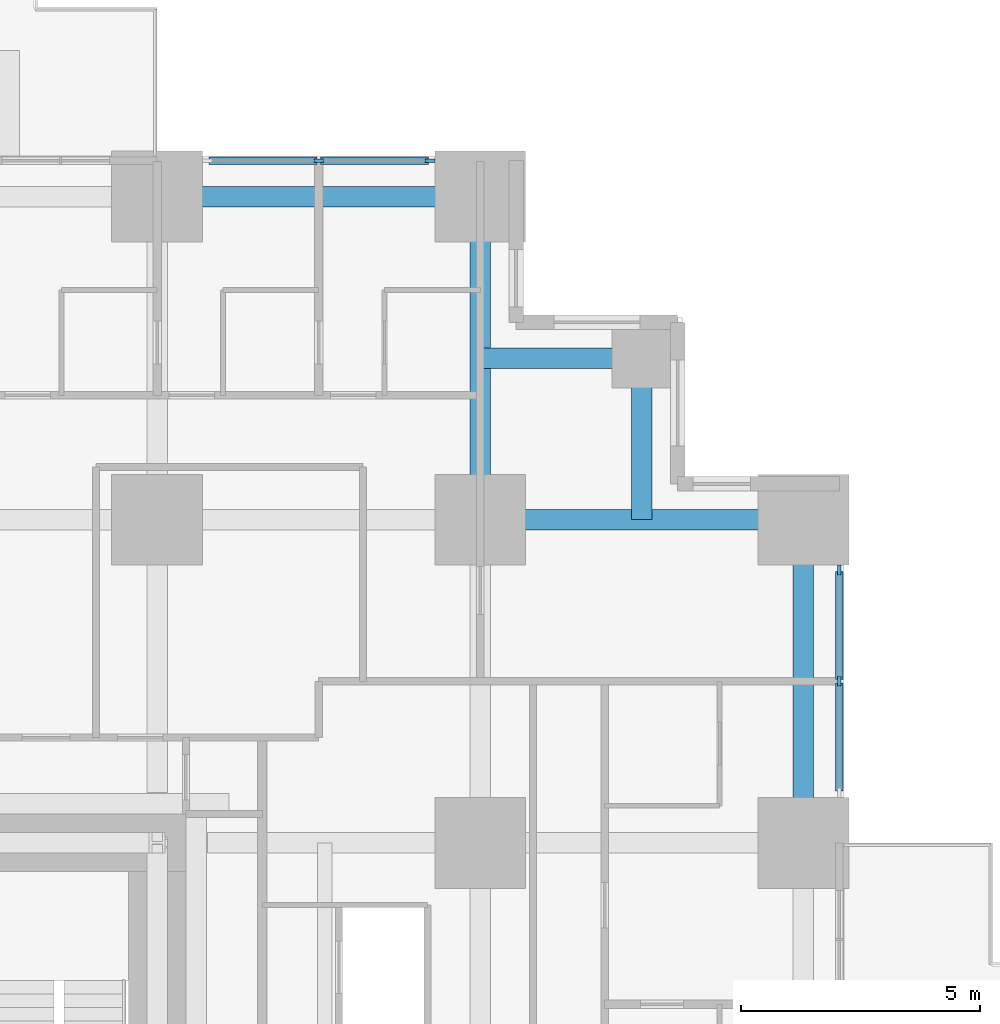
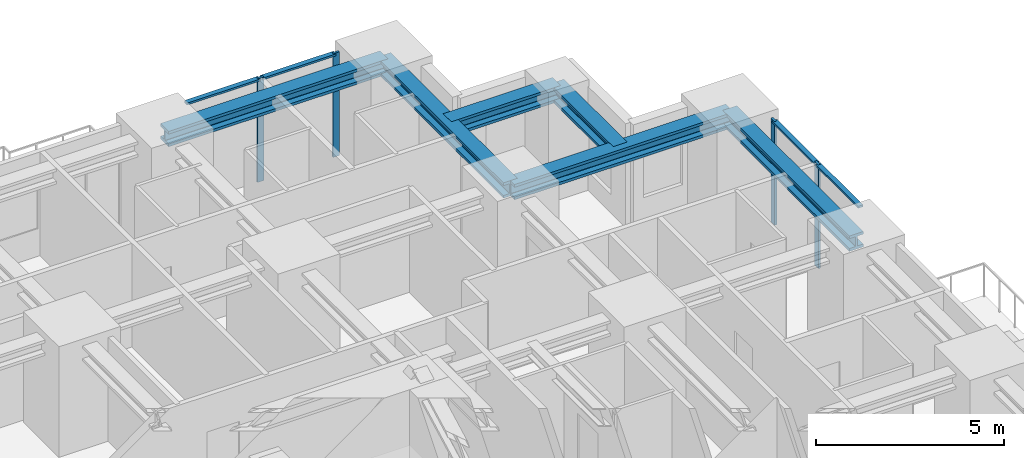
# One storey, part 6 of 14: 8 members, 6 beams, 2 elements without a shape of their own.
"""IFC4 building model written with IfcOpenShell, lengths in metres."""

import ifcopenshell
import ifcopenshell.guid

model = None  # the IFC model being written
_history = None  # IfcOwnerHistory: only IFC2X3 demands one
_inside = {}  # id of a spatial element -> (the spatial element, [elements in it])
_under = {}  # id of a project, library or spatial element -> (it, [spatial elements below it])
_declared = {}  # id of a project -> (the project, [libraries it declares])
_typed = {}  # id of a type object -> (the type object, [elements of that type])
_made_of = {}  # id of a material, layer set ... -> (it, [elements and type objects made of it])


def new_model(schema):
    """Start an empty IFC model of exactly this schema.

    Asked for "IFC4X3", IfcOpenShell would pick the latest addendum, in which some entities
    have other attributes; the version numbers below select the first issue.
    IFC2X3 requires an IfcOwnerHistory on every rooted entity: one is made here for all.
    """
    global model, _history
    if schema == "IFC4X3":
        model = ifcopenshell.file(schema_version=(4, 3, 0, 0))
    else:
        model = ifcopenshell.file(schema=schema)
    _inside.clear()
    _under.clear()
    _declared.clear()
    _typed.clear()
    _made_of.clear()
    _history = None
    if model.schema == "IFC2X3":
        org = make("IfcOrganization", Name="unknown")
        user = make(
            "IfcPersonAndOrganization",
            ThePerson=make("IfcPerson", FamilyName="unknown"),
            TheOrganization=org,
        )
        app = make(
            "IfcApplication",
            ApplicationDeveloper=org,
            Version="unknown",
            ApplicationFullName="unknown",
            ApplicationIdentifier="unknown",
        )
        _history = make(
            "IfcOwnerHistory",
            OwningUser=user,
            OwningApplication=app,
            ChangeAction="ADDED",
            CreationDate=0,
        )
    return model


def make(cls, **values):
    """One entity of the class cls with the attributes given. An attribute that is None is left unset."""
    return model.create_entity(
        cls, **{name: value for name, value in values.items() if value is not None}
    )


def rooted(cls, **values):
    """An entity with a GlobalId (a new one), such as an element, a storey or a relation."""
    return make(cls, GlobalId=ifcopenshell.guid.new(), OwnerHistory=_history, **values)


def si_unit(unit_type, name, prefix=None):
    """IfcSIUnit, for example si_unit("LENGTHUNIT", "METRE", prefix="MILLI")."""
    return make("IfcSIUnit", UnitType=unit_type, Prefix=prefix, Name=name)


def assignment(units):
    """IfcUnitAssignment: the units of a project."""
    return None if units is None else make("IfcUnitAssignment", Units=units)


def point(xyz):
    """IfcCartesianPoint."""
    return None if xyz is None else make("IfcCartesianPoint", Coordinates=xyz)


def direction(xyz):
    """IfcDirection."""
    return None if xyz is None else make("IfcDirection", DirectionRatios=xyz)


def frame(location, z_axis=None, x_axis=None):
    """IfcAxis2Placement3D, a coordinate frame: its origin and axes. An axis left out is left unset."""
    return make(
        "IfcAxis2Placement3D",
        Location=point(location),
        Axis=direction(z_axis),
        RefDirection=direction(x_axis),
    )


def frame_2d(location, x_axis=None):
    """IfcAxis2Placement2D, a coordinate frame in the plane: its origin and x axis."""
    return make(
        "IfcAxis2Placement2D", Location=point(location), RefDirection=direction(x_axis)
    )


def origin():
    """The frame at (0, 0, 0) with its axes left unset."""
    return frame((0.0, 0.0, 0.0))


def origin_2d():
    """The frame at (0, 0) in the plane with its x axis left unset."""
    return frame_2d((0.0, 0.0))


def place(relative_to, where):
    """IfcLocalPlacement: puts the frame where relative to a parent placement (None: the world)."""
    return make(
        "IfcLocalPlacement", PlacementRelTo=relative_to, RelativePlacement=where
    )


def context(
    kind, dimensions, precision=None, world=None, true_north=None, identifier=None
):
    """IfcGeometricRepresentationContext, for example the 3D "Model" context."""
    return make(
        "IfcGeometricRepresentationContext",
        ContextIdentifier=identifier,
        ContextType=kind,
        CoordinateSpaceDimension=dimensions,
        Precision=precision,
        WorldCoordinateSystem=world,
        TrueNorth=true_north,
    )


def subcontext(parent, identifier, kind, view, scale=None):
    """IfcGeometricRepresentationSubContext, for example "Body" below "Model"."""
    return make(
        "IfcGeometricRepresentationSubContext",
        ContextIdentifier=identifier,
        ContextType=kind,
        ParentContext=parent,
        TargetScale=scale,
        TargetView=view,
    )


def project(units=None, contexts=None):
    """IfcProject with its units and contexts."""
    return rooted(
        "IfcProject",
        Name="project",
        RepresentationContexts=contexts,
        UnitsInContext=assignment(units),
    )


def spatial(cls, under=None, at=None, **own):
    """A site, building, storey or space (cls), placed at a placement, below another one or the project."""
    s = rooted(cls, ObjectPlacement=at, **own)
    if under is not None:
        _under.setdefault(under.id(), (under, []))[1].append(s)
    return s


def profile(cls, at=None, kind="AREA", **sizes):
    """A parametric profile (cls). Its sizes go by their IFC names, for example OverallWidth=200.0."""
    return make(cls, ProfileType=kind, Position=at, **sizes)


def rectangle(**sizes):
    """IfcRectangleProfileDef."""
    return profile("IfcRectangleProfileDef", **sizes)


def i_section(**sizes):
    """IfcIShapeProfileDef."""
    return profile("IfcIShapeProfileDef", **sizes)


def extrude(swept, where, along, depth):
    """IfcExtrudedAreaSolid: the profile swept, set in the frame where, extruded along a direction by depth."""
    return make(
        "IfcExtrudedAreaSolid",
        SweptArea=swept,
        Position=where,
        ExtrudedDirection=direction(along),
        Depth=depth,
    )


def shape(context_of_items, identifier, shape_type, items):
    """IfcShapeRepresentation: the items that make up one representation, for example the "Body"."""
    return make(
        "IfcShapeRepresentation",
        ContextOfItems=context_of_items,
        RepresentationIdentifier=identifier,
        RepresentationType=shape_type,
        Items=items,
    )


def material(Name=None, Category=None):
    """IfcMaterial."""
    return make("IfcMaterial", Name=Name, Category=Category)


def material_profile(
    of_material, cross_section, Name=None, Category=None, Priority=None
):
    """IfcMaterialProfile: a cross section and its material."""
    return make(
        "IfcMaterialProfile",
        Name=Name,
        Material=of_material,
        Profile=cross_section,
        Priority=Priority,
        Category=Category,
    )


def profile_set(profiles, Name=None, composite=None):
    """IfcMaterialProfileSet."""
    return make(
        "IfcMaterialProfileSet",
        Name=Name,
        MaterialProfiles=profiles,
        CompositeProfile=composite,
    )


def made_of(thing, what):
    """Note that an element or type object is made of a material, layer set ...; save() writes the relation."""
    if what is not None:
        _made_of.setdefault(what.id(), (what, []))[1].append(thing)
    return thing


def type_object(cls, material=None, **own):
    """A type object (cls), such as IfcWallType, which elements share."""
    return made_of(rooted(cls, **own), material)


def element(
    cls,
    number,
    at=None,
    inside=None,
    cuts=None,
    type_object=None,
    material=None,
    context=None,
    identifier="Body",
    shape_type=None,
    held_by="IfcProductDefinitionShape",
    body=None,
    shapes=None,
    **own,
):
    """One element of the class cls, such as IfcWall. Its Tag is "e" and its number.

    at: its placement. inside: the storey or other place that contains it. cuts: it is an
    opening in that element (IfcRelVoidsElement). A single representation is given by context,
    identifier, shape_type and body (its items); several are given by shapes. held_by: the class
    of the entity that holds the representations. save() writes the other relations.
    """
    e = rooted(cls, Tag="e%d" % number, ObjectPlacement=at, **own)
    if body is not None:
        shapes = [shape(context, identifier, shape_type, body)]
    if shapes is not None:
        e.Representation = make(held_by, Representations=shapes)
    if inside is not None:
        _inside.setdefault(inside.id(), (inside, []))[1].append(e)
    if cuts is not None:
        rooted(
            "IfcRelVoidsElement", RelatingBuildingElement=cuts, RelatedOpeningElement=e
        )
    if type_object is not None:
        _typed.setdefault(type_object.id(), (type_object, []))[1].append(e)
    return made_of(e, material)


def aggregate(whole, parts):
    """IfcRelAggregates: a whole, such as a stair, and the parts it consists of."""
    return rooted("IfcRelAggregates", RelatingObject=whole, RelatedObjects=parts)


def save(model, path):
    """Write the relations noted so far, then the file.

    IfcRelAggregates (storeys below a building ...), IfcRelContainedInSpatialStructure (elements
    in a storey), IfcRelDefinesByType, IfcRelAssociatesMaterial and IfcRelDeclares: one each for
    every whole, place, type object, material and project.
    """
    for whole, parts in _under.values():
        aggregate(whole, parts)
    for where, things in _inside.values():
        rooted(
            "IfcRelContainedInSpatialStructure",
            RelatedElements=things,
            RelatingStructure=where,
        )
    for kind, things in _typed.values():
        rooted("IfcRelDefinesByType", RelatedObjects=things, RelatingType=kind)
    for what, things in _made_of.values():
        rooted("IfcRelAssociatesMaterial", RelatedObjects=things, RelatingMaterial=what)
    for by, libraries in _declared.values():
        rooted("IfcRelDeclares", RelatingContext=by, RelatedDefinitions=libraries)
    model.write(path)


model = new_model("IFC4")

# Units and contexts
model_context = context("Model", 3, precision=1e-05, world=origin(), true_north=direction((0.0, 1.0)))
body_context = subcontext(model_context, "Body", "Model", "MODEL_VIEW")
ifc_project = project(units=[si_unit("LENGTHUNIT", "METRE"), si_unit("AREAUNIT", "SQUARE_METRE"), si_unit("VOLUMEUNIT", "CUBIC_METRE"), si_unit("PLANEANGLEUNIT", "RADIAN"), si_unit("MASSUNIT", "GRAM", prefix="KILO")], contexts=[model_context])

# Site, building, storey
site_placement = place(None, origin())
site = spatial("IfcSite", under=ifc_project, at=site_placement, CompositionType="ELEMENT")
building_placement = place(site_placement, origin())
building = spatial("IfcBuilding", under=site, at=building_placement, Name="Nyansa Garden Tower", CompositionType="ELEMENT")
storey_placement = place(building_placement, frame((0.0, 0.0, 28.800048828125)))
storey = spatial("IfcBuildingStorey", under=building, at=storey_placement, Name="L07", CompositionType="ELEMENT", Elevation=28.800048828125)

# Curtain wall, members
ifc_material_1 = material(Name="Black anodised aluminium, dark tinted double glazing", Category="aluminium")
curtain_wall_type = type_object("IfcCurtainWallType", Name="Inner skin curtain wall ISW-A", PredefinedType="USERDEFINED", material=ifc_material_1)
curtain_wall_1_placement = place(storey_placement, origin())
curtain_wall_1 = element("IfcCurtainWall", 1, at=curtain_wall_1_placement, inside=storey, type_object=curtain_wall_type, Name="Inner skin curtain wall L07 E", ObjectType="UNITISED CURTAIN WALL", PredefinedType="USERDEFINED")
ifc_material_2 = material(Name="Black anodised aluminium", Category="aluminium")
ifc_material_profile_1 = material_profile(ifc_material_2, rectangle(XDim=0.06494140625, YDim=0.199951171875, at=origin_2d()), Name="Mullion 200x65")
ifc_profile_set_1 = profile_set([ifc_material_profile_1], Name="Black anodised aluminium")
member_type_1 = type_object("IfcMemberType", Name="Mullion ISW-A 200x65", PredefinedType="MULLION", material=ifc_profile_set_1)
member_1_placement = place(storey_placement, frame((41.25, 30.375, 0.0), z_axis=(0.0, 0.0, 1.0), x_axis=(-1.0, 0.0, 0.0)))
member_1 = element("IfcMember", 2, at=member_1_placement, type_object=member_type_1, Name="ISW-A mullion 2", PredefinedType="MULLION", context=body_context, shape_type="SweptSolid", body=[
    extrude(rectangle(XDim=0.06494140625, YDim=0.199951171875, at=origin_2d()), origin(), (0.0, 0.0, 1.0), 3.375),
])
member_2_placement = place(storey_placement, frame((41.25, 32.699951171875, 0.0), z_axis=(0.0, 0.0, 1.0), x_axis=(-1.0, 0.0, 0.0)))
member_2 = element("IfcMember", 3, at=member_2_placement, type_object=member_type_1, Name="ISW-A mullion 3", PredefinedType="MULLION", context=body_context, shape_type="SweptSolid", body=[
    extrude(rectangle(XDim=0.06494140625, YDim=0.199951171875, at=origin_2d()), origin(), (0.0, 0.0, 1.0), 3.375),
])

curtain_wall_2_placement = place(storey_placement, origin())
curtain_wall_2 = element("IfcCurtainWall", 4, at=curtain_wall_2_placement, inside=storey, type_object=curtain_wall_type, Name="Inner skin curtain wall L07 N", ObjectType="UNITISED CURTAIN WALL", PredefinedType="USERDEFINED")
member_3_placement = place(storey_placement, frame((32.699951171875, 41.25, 0.0), z_axis=(0.0, 0.0, 1.0), x_axis=(0.0, -1.0, 0.0)))
member_3 = element("IfcMember", 5, at=member_3_placement, type_object=member_type_1, Name="ISW-A mullion 1", PredefinedType="MULLION", context=body_context, shape_type="SweptSolid", body=[
    extrude(rectangle(XDim=0.06494140625, YDim=0.199951171875, at=origin_2d()), origin(), (0.0, 0.0, 1.0), 3.375),
])
member_4_placement = place(storey_placement, frame((30.375, 41.25, 0.0), z_axis=(0.0, 0.0, 1.0), x_axis=(0.0, -1.0, 0.0)))
member_4 = element("IfcMember", 6, at=member_4_placement, type_object=member_type_1, Name="ISW-A mullion 2", PredefinedType="MULLION", context=body_context, shape_type="SweptSolid", body=[
    extrude(rectangle(XDim=0.06494140625, YDim=0.199951171875, at=origin_2d()), origin(), (0.0, 0.0, 1.0), 3.375),
])

# Beams
ifc_material_3 = material(Name="Steel S355", Category="steel")
ifc_material_profile_2 = material_profile(ifc_material_3, i_section(OverallWidth=0.431884765625, OverallDepth=0.498046875, WebThickness=0.0556640625, FlangeThickness=0.0888671875, FilletRadius=0.014892578125, at=origin_2d()), Name="HD 400x744")
ifc_profile_set_2 = profile_set([ifc_material_profile_2], Name="Steel S355")
beam_type_1 = type_object("IfcBeamType", Name="Steel beam SBA1-744 HD 400x744", PredefinedType="BEAM", material=ifc_profile_set_2)
for number, where, z_axis, x_axis, name in (
    (7, (33.75, 33.75, 3.1259765625), (0.0, 1.0, 0.0), (-1.0, 0.0, 0.0), "Steel beam 7/J-7/K L08"),
    (8, (33.75, 33.75, 3.1259765625), (1.0, 0.0, 0.0), (0.0, 1.0, 0.0), "Steel beam 7/J-8/J L08"),
):
    element("IfcBeam", number, at=place(storey_placement, frame(where, z_axis=z_axis, x_axis=x_axis)), inside=storey, type_object=beam_type_1, Name=name, PredefinedType="BEAM", context=body_context, shape_type="SweptSolid", body=[
        extrude(i_section(OverallWidth=0.431884765625, OverallDepth=0.498046875, WebThickness=0.0556640625, FlangeThickness=0.0888671875, FilletRadius=0.014892578125, at=origin_2d()), origin(), (0.0, 0.0, 1.0), 6.75),
    ])
ifc_material_4 = material(Name="Steel S355", Category="steel")
ifc_material_profile_3 = material_profile(ifc_material_4, i_section(OverallWidth=0.431884765625, OverallDepth=0.498046875, WebThickness=0.0556640625, FlangeThickness=0.0888671875, FilletRadius=0.014892578125, at=origin_2d()), Name="HD 400x744")
ifc_profile_set_3 = profile_set([ifc_material_profile_3], Name="Steel S355")
beam_type_2 = type_object("IfcBeamType", Name="Steel beam SEBA-744 HD 400x744", PredefinedType="BEAM", material=ifc_profile_set_3)
for number, where, z_axis, x_axis, name in (
    (9, (27.0, 40.5, 3.1259765625), (1.0, 0.0, 0.0), (0.0, 1.0, 0.0), "Steel edge beam 6/K-7/K L08"),
    (10, (40.5, 27.0, 3.1259765625), (0.0, 1.0, 0.0), (-1.0, 0.0, 0.0), "Steel edge beam 8/H-8/J L08"),
):
    element("IfcBeam", number, at=place(storey_placement, frame(where, z_axis=z_axis, x_axis=x_axis)), inside=storey, type_object=beam_type_2, Name=name, PredefinedType="BEAM", context=body_context, shape_type="SweptSolid", body=[
        extrude(i_section(OverallWidth=0.431884765625, OverallDepth=0.498046875, WebThickness=0.0556640625, FlangeThickness=0.0888671875, FilletRadius=0.014892578125, at=origin_2d()), origin(), (0.0, 0.0, 1.0), 6.75),
    ])
ifc_material_5 = material(Name="Steel S355", Category="steel")
ifc_material_profile_4 = material_profile(ifc_material_5, i_section(OverallWidth=0.431884765625, OverallDepth=0.498046875, WebThickness=0.0556640625, FlangeThickness=0.0888671875, FilletRadius=0.014892578125, at=origin_2d()), Name="HD 400x744")
ifc_profile_set_4 = profile_set([ifc_material_profile_4], Name="Steel S355")
beam_type_3 = type_object("IfcBeamType", Name="Steel beam SSB1-744 HD 400x744", PredefinedType="BEAM", material=ifc_profile_set_4)
for number, where, z_axis, x_axis, name in (
    (11, (37.125, 37.125, 3.1259765625), (0.0, -1.0, 0.0), (1.0, 0.0, 0.0), "Steel step beam 37.125/37.125 L08"),
    (12, (37.125, 37.125, 3.1259765625), (-1.0, 0.0, 0.0), (0.0, -1.0, 0.0), "Steel step beam 37.125/37.125 L08"),
):
    element("IfcBeam", number, at=place(storey_placement, frame(where, z_axis=z_axis, x_axis=x_axis)), inside=storey, type_object=beam_type_3, Name=name, PredefinedType="BEAM", context=body_context, shape_type="SweptSolid", body=[
        extrude(i_section(OverallWidth=0.431884765625, OverallDepth=0.498046875, WebThickness=0.0556640625, FlangeThickness=0.0888671875, FilletRadius=0.014892578125, at=origin_2d()), origin(), (0.0, 0.0, 1.0), 3.375),
    ])

# Member
ifc_material_6 = material(Name="Black anodised aluminium", Category="aluminium")
ifc_material_profile_5 = material_profile(ifc_material_6, rectangle(XDim=0.14990234375, YDim=0.06494140625, at=origin_2d()), Name="Transom 150x65")
ifc_profile_set_5 = profile_set([ifc_material_profile_5], Name="Black anodised aluminium")
member_type_2 = type_object("IfcMemberType", Name="Transom ISW-A 150x65", PredefinedType="USERDEFINED", material=ifc_profile_set_5)
member_5_placement = place(storey_placement, frame((41.25, 28.08251953125, 3.342529296875), z_axis=(0.0, 1.0, 0.0), x_axis=(-1.0, 0.0, 0.0)))
member_5 = element("IfcMember", 13, at=member_5_placement, type_object=member_type_2, Name="ISW-A transom 1", ObjectType="TRANSOM", PredefinedType="USERDEFINED", context=body_context, shape_type="SweptSolid", body=[
    extrude(rectangle(XDim=0.14990234375, YDim=0.06494140625, at=origin_2d()), origin(), (0.0, 0.0, 1.0), 2.260009765625),
])

member_6_placement = place(storey_placement, frame((41.25, 30.407470703125, 3.342529296875), z_axis=(0.0, 1.0, 0.0), x_axis=(-1.0, 0.0, 0.0)))
member_6 = element("IfcMember", 14, at=member_6_placement, type_object=member_type_2, Name="ISW-A transom 2", ObjectType="TRANSOM", PredefinedType="USERDEFINED", context=body_context, shape_type="SweptSolid", body=[
    extrude(rectangle(XDim=0.14990234375, YDim=0.06494140625, at=origin_2d()), origin(), (0.0, 0.0, 1.0), 2.260009765625),
])

aggregate(curtain_wall_1, [member_1, member_2, member_5, member_6])

member_7_placement = place(storey_placement, frame((32.66748046875, 41.25, 3.342529296875), z_axis=(-1.0, 0.0, 0.0), x_axis=(0.0, -1.0, 0.0)))
member_7 = element("IfcMember", 15, at=member_7_placement, type_object=member_type_2, Name="ISW-A transom 1", ObjectType="TRANSOM", PredefinedType="USERDEFINED", context=body_context, shape_type="SweptSolid", body=[
    extrude(rectangle(XDim=0.14990234375, YDim=0.06494140625, at=origin_2d()), origin(), (0.0, 0.0, 1.0), 2.260009765625),
])

member_8_placement = place(storey_placement, frame((30.342529296875, 41.25, 3.342529296875), z_axis=(-1.0, 0.0, 0.0), x_axis=(0.0, -1.0, 0.0)))
member_8 = element("IfcMember", 16, at=member_8_placement, type_object=member_type_2, Name="ISW-A transom 2", ObjectType="TRANSOM", PredefinedType="USERDEFINED", context=body_context, shape_type="SweptSolid", body=[
    extrude(rectangle(XDim=0.14990234375, YDim=0.06494140625, at=origin_2d()), origin(), (0.0, 0.0, 1.0), 2.260009765625),
])

aggregate(curtain_wall_2, [member_3, member_4, member_7, member_8])

save(model, "model.ifc")
